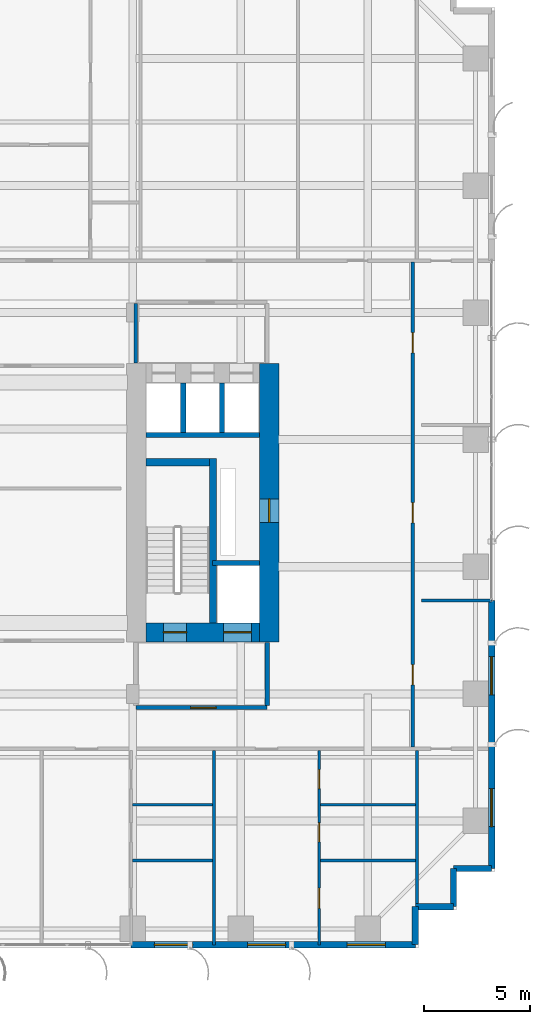
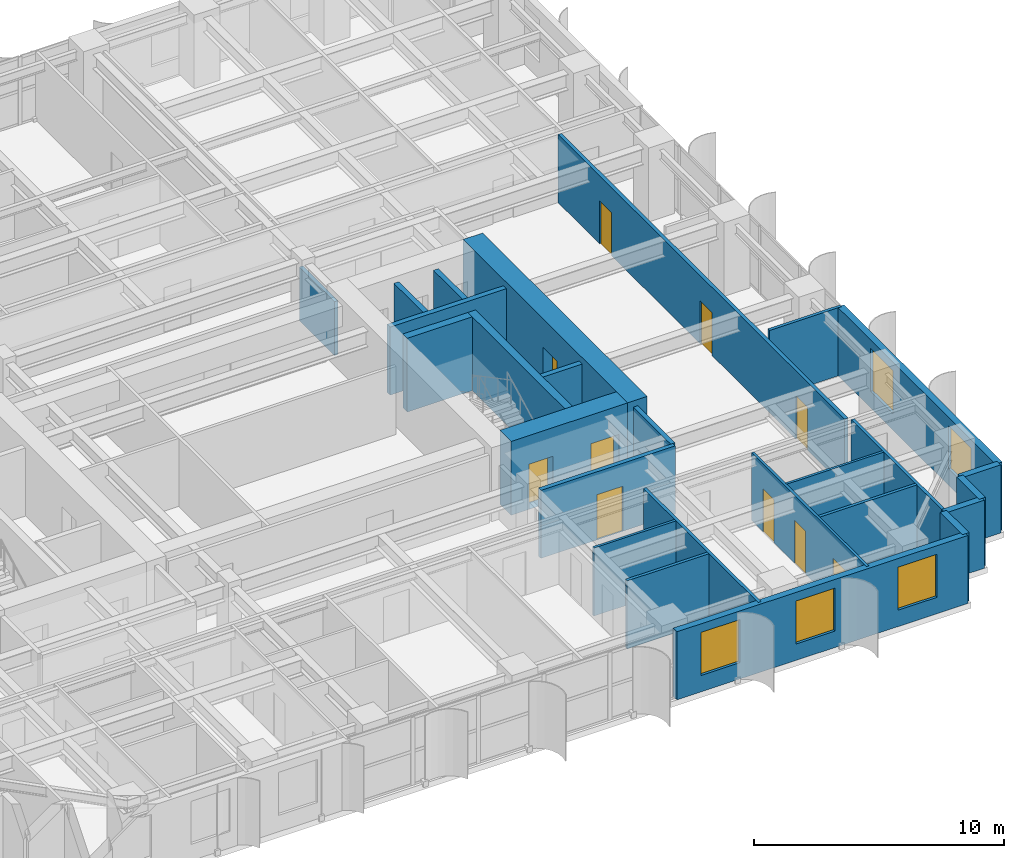
# One storey, part 18 of 24: 26 walls, 10 doors, 5 windows, 15 openings.
"""IFC4 building model written with IfcOpenShell, lengths in metres."""

from ifc_helpers import new_model, si_unit, direction, frame, frame_2d, origin, place, context, subcontext, project, spatial, rectangle, extrude, source, transform, mapped, material, layer, layer_set, type_object, element, fill, save


model = new_model("IFC4")

# Units and contexts
model_context = context("Model", 3, precision=1e-05, world=origin(), true_north=direction((0.0, 1.0)))
body_context = subcontext(model_context, "Body", "Model", "MODEL_VIEW")
ifc_project = project(units=[si_unit("LENGTHUNIT", "METRE"), si_unit("AREAUNIT", "SQUARE_METRE"), si_unit("VOLUMEUNIT", "CUBIC_METRE"), si_unit("PLANEANGLEUNIT", "RADIAN"), si_unit("MASSUNIT", "GRAM", prefix="KILO")], contexts=[model_context])

# Site, building, storey
site_placement = place(None, origin())
site = spatial("IfcSite", under=ifc_project, at=site_placement, CompositionType="ELEMENT")
building_placement = place(site_placement, origin())
building = spatial("IfcBuilding", under=site, at=building_placement, Name="Khoralis Quay Care Tower", CompositionType="ELEMENT")
storey_placement = place(building_placement, frame((0.0, 0.0, 40.5)))
storey = spatial("IfcBuildingStorey", under=building, at=storey_placement, Name="L10", CompositionType="ELEMENT", Elevation=40.5)

# Wall, opening, door
ifc_material_1 = material(Name="Gypsum plasterboard on acoustic metal stud")
ifc_layer_1 = layer(ifc_material_1, 0.199951171875)
ifc_layer_set_1 = layer_set([ifc_layer_1], Name="Gypsum plasterboard on acoustic metal stud")
wall_type_1 = type_object("IfcWallType", Name="WL-COMP-200", PredefinedType="PARTITIONING", material=ifc_layer_set_1)
wall_1_placement = place(storey_placement, frame((31.050048828125, 11.35009765625, 0.0), z_axis=(0.0, 0.0, 1.0), x_axis=(1.0, 0.0, 0.0)))
wall_1 = element("IfcWall", 1, at=wall_1_placement, inside=storey, type_object=wall_type_1, Name="L10 East Firefighting Lobby South Wall", PredefinedType="PARTITIONING", context=body_context, shape_type="SweptSolid", body=[
    extrude(rectangle(XDim=6.199951171875, YDim=0.199951171875, at=frame_2d((3.10009765625, 0.0))), origin(), (0.0, 0.0, 1.0), 3.320068359375),
])
opening_1_placement = place(wall_1_placement, frame((2.585693359375, 0.0, 0.0)))
opening_1 = element("IfcOpeningElement", 2, at=opening_1_placement, cuts=wall_1, Name="Opening FD1", PredefinedType="OPENING", context=body_context, shape_type="SweptSolid", body=[
    extrude(rectangle(XDim=1.199951171875, YDim=2.199951171875, at=frame_2d((0.60009765625, 1.10009765625))), frame((0.0, 0.10986328125, 0.0), z_axis=(0.0, -1.0, 0.0), x_axis=(1.0, 0.0, 0.0)), (0.0, 0.0, 1.0), 0.219970703125),
])
ifc_material_2 = material(Name="Fire-rated painted steel", Category="steel")
door_type_1 = type_object("IfcDoorType", Name="DR-FFL-1200X2200", OperationType="NOTDEFINED", PredefinedType="DOOR", material=ifc_material_2)
shared_shape_1 = source(origin(), body_context, "Body", "SweptSolid", [
    extrude(rectangle(XDim=1.199951171875, YDim=2.199951171875, at=frame_2d((0.60009765625, 1.10009765625))), frame((0.0, 0.02490234375, 0.0), z_axis=(0.0, -1.0, 0.0), x_axis=(1.0, 0.0, 0.0)), (0.0, 0.0, 1.0), 0.050048828125),
])
door_1_placement = place(opening_1_placement, origin())
door_1 = element("IfcDoor", 3, at=door_1_placement, inside=storey, type_object=door_type_1, Name="L10 East Firefighting Lobby Fire Door", OperationType="SINGLE_SWING_LEFT", OverallHeight=2.199951171875, OverallWidth=1.199951171875, PredefinedType="DOOR", context=body_context, shape_type="MappedRepresentation", body=[
    mapped(shared_shape_1, transform((0.0, 0.0, 0.0), scale=1.0)),
])
fill(opening_1, door_1)

# Wall
wall_2_placement = place(storey_placement, frame((37.25, 11.445068359375, 0.0), z_axis=(0.0, 0.0, 1.0), x_axis=(0.0, 1.0, 0.0)))
element("IfcWall", 4, at=wall_2_placement, inside=storey, type_object=wall_type_1, Name="L10 East Firefighting Lobby East Wall", PredefinedType="PARTITIONING", context=body_context, shape_type="SweptSolid", body=[
    extrude(rectangle(XDim=2.98486328125, YDim=0.199951171875, at=frame_2d((1.492431640625, 0.0))), origin(), (0.0, 0.0, 1.0), 3.320068359375),
])

# Wall, opening, door
ifc_material_3 = material(Name="Concrete C80/95", Category="concrete")
ifc_layer_2 = layer(ifc_material_3, 0.89990234375)
ifc_layer_set_2 = layer_set([ifc_layer_2], Name="Concrete C80/95")
wall_type_2 = type_object("IfcWallType", Name="WL-CORE-900", PredefinedType="SHEAR", material=ifc_layer_set_2)
wall_3_placement = place(storey_placement, frame((37.35009765625, 14.449951171875, 0.0), z_axis=(0.0, 0.0, 1.0), x_axis=(0.0, 1.0, 0.0)))
wall_3 = element("IfcWall", 5, at=wall_3_placement, inside=storey, type_object=wall_type_2, Name="L10 ECORE East Shear Wall", PredefinedType="SHEAR", context=body_context, shape_type="SweptSolid", body=[
    extrude(rectangle(XDim=13.150146484375, YDim=0.89990234375, at=frame_2d((6.5751953125, 0.0))), origin(), (0.0, 0.0, 1.0), 3.60009765625),
])
opening_2_placement = place(wall_3_placement, frame((5.64990234375, 0.0, 0.0)))
opening_2 = element("IfcOpeningElement", 6, at=opening_2_placement, cuts=wall_3, Name="Opening SD1", PredefinedType="OPENING", context=body_context, shape_type="SweptSolid", body=[
    extrude(rectangle(XDim=1.10009765625, YDim=2.199951171875, at=frame_2d((0.550048828125, 1.10009765625))), frame((0.0, 0.4599609375, 0.0), z_axis=(0.0, -1.0, 0.0), x_axis=(1.0, 0.0, 0.0)), (0.0, 0.0, 1.0), 0.919921875),
])
door_type_2 = type_object("IfcDoorType", Name="DR-STAIR-1100X2200", OperationType="NOTDEFINED", PredefinedType="DOOR", material=ifc_material_2)
shared_shape_2 = source(origin(), body_context, "Body", "SweptSolid", [
    extrude(rectangle(XDim=1.10009765625, YDim=2.199951171875, at=frame_2d((0.550048828125, 1.10009765625))), frame((0.0, 0.02490234375, 0.0), z_axis=(0.0, -1.0, 0.0), x_axis=(1.0, 0.0, 0.0)), (0.0, 0.0, 1.0), 0.050048828125),
])
door_2_placement = place(opening_2_placement, frame((1.10009765625, 0.0, 0.0), z_axis=(0.0, 0.0, 1.0), x_axis=(-1.0, 0.0, 0.0)))
door_2 = element("IfcDoor", 7, at=door_2_placement, inside=storey, type_object=door_type_2, Name="L10 East MEP Riser Door", OperationType="SINGLE_SWING_LEFT", OverallHeight=2.199951171875, OverallWidth=1.10009765625, PredefinedType="DOOR", context=body_context, shape_type="MappedRepresentation", body=[
    mapped(shared_shape_2, transform((0.0, 0.0, 0.0), scale=1.0)),
])
fill(opening_2, door_2)

# Wall, openings, doors
wall_4_placement = place(storey_placement, frame((31.52001953125, 14.89990234375, 0.0), z_axis=(0.0, 0.0, 1.0), x_axis=(1.0, 0.0, 0.0)))
wall_4 = element("IfcWall", 8, at=wall_4_placement, inside=storey, type_object=wall_type_2, Name="L10 ECORE South Shear Wall", PredefinedType="SHEAR", context=body_context, shape_type="SweptSolid", body=[
    extrude(rectangle(XDim=5.3798828125, YDim=0.89990234375, at=frame_2d((2.68994140625, 0.0))), origin(), (0.0, 0.0, 1.0), 3.60009765625),
])
opening_3_placement = place(wall_4_placement, frame((0.830078125, 0.0, 0.0)))
opening_3 = element("IfcOpeningElement", 9, at=opening_3_placement, cuts=wall_4, Name="Opening SD1", PredefinedType="OPENING", context=body_context, shape_type="SweptSolid", body=[
    extrude(rectangle(XDim=1.10009765625, YDim=2.199951171875, at=frame_2d((0.550048828125, 1.10009765625))), frame((0.0, 0.4599609375, 0.0), z_axis=(0.0, -1.0, 0.0), x_axis=(1.0, 0.0, 0.0)), (0.0, 0.0, 1.0), 0.919921875),
])
opening_4_placement = place(wall_4_placement, frame((3.679931640625, 0.0, 0.0)))
opening_4 = element("IfcOpeningElement", 10, at=opening_4_placement, cuts=wall_4, Name="Opening LD2", PredefinedType="OPENING", context=body_context, shape_type="SweptSolid", body=[
    extrude(rectangle(XDim=1.300048828125, YDim=2.199951171875, at=frame_2d((0.64990234375, 1.10009765625))), frame((0.0, 0.4599609375, 0.0), z_axis=(0.0, -1.0, 0.0), x_axis=(1.0, 0.0, 0.0)), (0.0, 0.0, 1.0), 0.919921875),
])
door_3_placement = place(opening_3_placement, origin())
door_3 = element("IfcDoor", 11, at=door_3_placement, inside=storey, type_object=door_type_2, Name="L10 Stair ST-T2 Fire Door", OperationType="SINGLE_SWING_LEFT", OverallHeight=2.199951171875, OverallWidth=1.10009765625, PredefinedType="DOOR", context=body_context, shape_type="MappedRepresentation", body=[
    mapped(shared_shape_2, transform((0.0, 0.0, 0.0), scale=1.0)),
])
fill(opening_3, door_3)
ifc_material_4 = material(Name="Brushed stainless steel", Category="steel")
door_type_3 = type_object("IfcDoorType", Name="DR-LIFT-1300X2200", OperationType="SLIDING_TO_RIGHT", PredefinedType="DOOR", material=ifc_material_4)
shared_shape_3 = source(origin(), body_context, "Body", "SweptSolid", [
    extrude(rectangle(XDim=1.300048828125, YDim=2.199951171875, at=frame_2d((0.64990234375, 1.10009765625))), frame((0.0, 0.02490234375, 0.0), z_axis=(0.0, -1.0, 0.0), x_axis=(1.0, 0.0, 0.0)), (0.0, 0.0, 1.0), 0.050048828125),
])
door_4_placement = place(opening_4_placement, origin())
door_4 = element("IfcDoor", 12, at=door_4_placement, inside=storey, type_object=door_type_3, Name="L10 Firefighting Lift FFL-2 Landing Door", OperationType="SLIDING_TO_RIGHT", OverallHeight=2.199951171875, OverallWidth=1.300048828125, PredefinedType="DOOR", context=body_context, shape_type="MappedRepresentation", body=[
    mapped(shared_shape_3, transform((0.0, 0.0, 0.0), scale=1.0)),
])
fill(opening_4, door_4)

# Wall
ifc_layer_3 = layer(ifc_material_1, 0.1650390625)
ifc_layer_set_3 = layer_set([ifc_layer_3], Name="Gypsum plasterboard on acoustic metal stud")
wall_type_3 = type_object("IfcWallType", Name="WL-CORR-165", PredefinedType="PARTITIONING", material=ifc_layer_set_3)
wall_5_placement = place(storey_placement, frame((31.050048828125, 27.6201171875, 0.0), z_axis=(0.0, 0.0, 1.0), x_axis=(0.0, 1.0, 0.0)))
element("IfcWall", 13, at=wall_5_placement, inside=storey, type_object=wall_type_3, Name="L10 East Lift Lobby West Wall", PredefinedType="PARTITIONING", context=body_context, shape_type="SweptSolid", body=[
    extrude(rectangle(XDim=2.802490234375, YDim=0.1650390625, at=frame_2d((1.4013671875, 0.0))), origin(), (0.0, 0.0, 1.0), 2.625),
])

# Wall, openings, doors
wall_6_placement = place(storey_placement, frame((44.1201171875, 9.4775390625, 0.0), z_axis=(0.0, 0.0, 1.0), x_axis=(0.0, 1.0, 0.0)))
wall_6 = element("IfcWall", 14, at=wall_6_placement, inside=storey, type_object=wall_type_3, Name="L10 East Loop Corridor Wall", PredefinedType="PARTITIONING", context=body_context, shape_type="SweptSolid", body=[
    extrude(rectangle(XDim=22.905029296875, YDim=0.1650390625, at=frame_2d((11.45263671875, 0.0))), origin(), (0.0, 0.0, 1.0), 3.320068359375),
])
opening_5_placement = place(wall_6_placement, frame((2.947509765625, 0.0, 0.0)))
opening_5 = element("IfcOpeningElement", 15, at=opening_5_placement, cuts=wall_6, Name="Opening ID1", PredefinedType="OPENING", context=body_context, shape_type="SweptSolid", body=[
    extrude(rectangle(XDim=0.949951171875, YDim=2.10009765625, at=frame_2d((0.47509765625, 1.050048828125))), frame((0.0, 0.092529296875, 0.0), z_axis=(0.0, -1.0, 0.0), x_axis=(1.0, 0.0, 0.0)), (0.0, 0.0, 1.0), 0.18505859375),
])
opening_6_placement = place(wall_6_placement, frame((10.597412109375, 0.0, 0.0)))
opening_6 = element("IfcOpeningElement", 16, at=opening_6_placement, cuts=wall_6, Name="Opening ID1", PredefinedType="OPENING", context=body_context, shape_type="SweptSolid", body=[
    extrude(rectangle(XDim=0.949951171875, YDim=2.10009765625, at=frame_2d((0.47509765625, 1.050048828125))), frame((0.0, 0.092529296875, 0.0), z_axis=(0.0, -1.0, 0.0), x_axis=(1.0, 0.0, 0.0)), (0.0, 0.0, 1.0), 0.18505859375),
])
opening_7_placement = place(wall_6_placement, frame((18.62744140625, 0.0, 0.0)))
opening_7 = element("IfcOpeningElement", 17, at=opening_7_placement, cuts=wall_6, Name="Opening ID1", PredefinedType="OPENING", context=body_context, shape_type="SweptSolid", body=[
    extrude(rectangle(XDim=0.949951171875, YDim=2.10009765625, at=frame_2d((0.47509765625, 1.050048828125))), frame((0.0, 0.092529296875, 0.0), z_axis=(0.0, -1.0, 0.0), x_axis=(1.0, 0.0, 0.0)), (0.0, 0.0, 1.0), 0.18505859375),
])
ifc_material_5 = material(Name="Acoustic hardwood timber", Category="wood")
door_type_4 = type_object("IfcDoorType", Name="DR-ROOM-950X2100", OperationType="NOTDEFINED", PredefinedType="DOOR", material=ifc_material_5)
shared_shape_4 = source(origin(), body_context, "Body", "SweptSolid", [
    extrude(rectangle(XDim=0.949951171875, YDim=2.10009765625, at=frame_2d((0.47509765625, 1.050048828125))), frame((0.0, 0.02490234375, 0.0), z_axis=(0.0, -1.0, 0.0), x_axis=(1.0, 0.0, 0.0)), (0.0, 0.0, 1.0), 0.050048828125),
])
door_5_placement = place(opening_5_placement, frame((0.949951171875, 0.0, 0.0), z_axis=(0.0, 0.0, 1.0), x_axis=(-1.0, 0.0, 0.0)))
door_5 = element("IfcDoor", 18, at=door_5_placement, inside=storey, type_object=door_type_4, Name="L10 Therapy Consultation Room Door", OperationType="SINGLE_SWING_LEFT", OverallHeight=2.10009765625, OverallWidth=0.949951171875, PredefinedType="DOOR", context=body_context, shape_type="MappedRepresentation", body=[
    mapped(shared_shape_4, transform((0.0, 0.0, 0.0), scale=1.0)),
])
fill(opening_5, door_5)
door_6_placement = place(opening_6_placement, frame((0.949951171875, 0.0, 0.0), z_axis=(0.0, 0.0, 1.0), x_axis=(-1.0, 0.0, 0.0)))
door_6 = element("IfcDoor", 19, at=door_6_placement, inside=storey, type_object=door_type_4, Name="L10 Assisted Activity Lounge Door", OperationType="SINGLE_SWING_RIGHT", OverallHeight=2.10009765625, OverallWidth=0.949951171875, PredefinedType="DOOR", context=body_context, shape_type="MappedRepresentation", body=[
    mapped(shared_shape_4, transform((0.0, 0.0, 0.0), scale=1.0)),
])
fill(opening_6, door_6)
door_7_placement = place(opening_7_placement, frame((0.949951171875, 0.0, 0.0), z_axis=(0.0, 0.0, 1.0), x_axis=(-1.0, 0.0, 0.0)))
door_7 = element("IfcDoor", 20, at=door_7_placement, inside=storey, type_object=door_type_4, Name="L10 Nurse Charting Office Door", OperationType="SINGLE_SWING_LEFT", OverallHeight=2.10009765625, OverallWidth=0.949951171875, PredefinedType="DOOR", context=body_context, shape_type="MappedRepresentation", body=[
    mapped(shared_shape_4, transform((0.0, 0.0, 0.0), scale=1.0)),
])
fill(opening_7, door_7)

# Wall, openings, windows
ifc_material_6 = material(Name="Precast concrete C45/55", Category="concrete")
ifc_layer_4 = layer(ifc_material_6, 0.300048828125)
ifc_layer_set_4 = layer_set([ifc_layer_4], Name="Precast concrete C45/55")
wall_type_4 = type_object("IfcWallType", Name="WL-EXT-REF-300", PredefinedType="SOLIDWALL", material=ifc_layer_set_4)
wall_7_placement = place(storey_placement, frame((30.827880859375, 0.14990234375, 0.0), z_axis=(0.0, 0.0, 1.0), x_axis=(1.0, 0.0, 0.0)))
wall_7 = element("IfcWall", 21, at=wall_7_placement, inside=storey, type_object=wall_type_4, Name="L10 External Facade Wall WL-EXT-L10-P1-E0B", PredefinedType="SOLIDWALL", context=body_context, shape_type="SweptSolid", body=[
    extrude(rectangle(XDim=13.422119140625, YDim=0.300048828125, at=frame_2d((6.7109375, 0.0))), origin(), (0.0, 0.0, 1.0), 3.320068359375),
])
opening_8_placement = place(wall_7_placement, frame((1.10107421875, 0.0, 0.800048828125)))
opening_8 = element("IfcOpeningElement", 22, at=opening_8_placement, cuts=wall_7, Name="Opening W2", PredefinedType="OPENING", context=body_context, shape_type="SweptSolid", body=[
    extrude(rectangle(XDim=1.800048828125, YDim=2.10009765625, at=frame_2d((0.89990234375, 1.050048828125))), frame((0.0, 0.16015625, 0.0), z_axis=(0.0, -1.0, 0.0), x_axis=(1.0, 0.0, 0.0)), (0.0, 0.0, 1.0), 0.320068359375),
])
opening_9_placement = place(wall_7_placement, frame((5.49560546875, 0.0, 0.800048828125)))
opening_9 = element("IfcOpeningElement", 23, at=opening_9_placement, cuts=wall_7, Name="Opening W2", PredefinedType="OPENING", context=body_context, shape_type="SweptSolid", body=[
    extrude(rectangle(XDim=1.800048828125, YDim=2.10009765625, at=frame_2d((0.89990234375, 1.050048828125))), frame((0.0, 0.16015625, 0.0), z_axis=(0.0, -1.0, 0.0), x_axis=(1.0, 0.0, 0.0)), (0.0, 0.0, 1.0), 0.320068359375),
])
opening_10_placement = place(wall_7_placement, frame((10.20556640625, 0.0, 0.800048828125)))
opening_10 = element("IfcOpeningElement", 24, at=opening_10_placement, cuts=wall_7, Name="Opening W2", PredefinedType="OPENING", context=body_context, shape_type="SweptSolid", body=[
    extrude(rectangle(XDim=1.800048828125, YDim=2.10009765625, at=frame_2d((0.89990234375, 1.050048828125))), frame((0.0, 0.16015625, 0.0), z_axis=(0.0, -1.0, 0.0), x_axis=(1.0, 0.0, 0.0)), (0.0, 0.0, 1.0), 0.320068359375),
])
ifc_material_7 = material(Name="Low-E solar-control double glazing", Category="glass")
window_type = type_object("IfcWindowType", Name="WN-POD-1800X2100", PartitioningType="SINGLE_PANEL", PredefinedType="WINDOW", material=ifc_material_7)
shared_shape_5 = source(origin(), body_context, "Body", "SweptSolid", [
    extrude(rectangle(XDim=1.800048828125, YDim=2.10009765625, at=frame_2d((0.89990234375, 1.050048828125))), frame((0.0, 0.030029296875, 0.0), z_axis=(0.0, -1.0, 0.0), x_axis=(1.0, 0.0, 0.0)), (0.0, 0.0, 1.0), 0.06005859375),
])
window_1_placement = place(opening_8_placement, origin())
window_1 = element("IfcWindow", 25, at=window_1_placement, inside=storey, type_object=window_type, Name="WN-L10-P1-E0B Facade Window 01", OverallHeight=2.10009765625, OverallWidth=1.800048828125, PartitioningType="SINGLE_PANEL", PredefinedType="WINDOW", context=body_context, shape_type="MappedRepresentation", body=[
    mapped(shared_shape_5, transform((0.0, 0.0, 0.0), scale=1.0)),
])
fill(opening_8, window_1)
window_2_placement = place(opening_9_placement, origin())
window_2 = element("IfcWindow", 26, at=window_2_placement, inside=storey, type_object=window_type, Name="WN-L10-P1-E0B Facade Window 02", OverallHeight=2.10009765625, OverallWidth=1.800048828125, PartitioningType="SINGLE_PANEL", PredefinedType="WINDOW", context=body_context, shape_type="MappedRepresentation", body=[
    mapped(shared_shape_5, transform((0.0, 0.0, 0.0), scale=1.0)),
])
fill(opening_9, window_2)
window_3_placement = place(opening_10_placement, origin())
window_3 = element("IfcWindow", 27, at=window_3_placement, inside=storey, type_object=window_type, Name="WN-L10-P1-E0B Facade Window 03", OverallHeight=2.10009765625, OverallWidth=1.800048828125, PartitioningType="SINGLE_PANEL", PredefinedType="WINDOW", context=body_context, shape_type="MappedRepresentation", body=[
    mapped(shared_shape_5, transform((0.0, 0.0, 0.0), scale=1.0)),
])
fill(opening_10, window_3)

# Walls
for number, where, z_axis, x_axis, name in (
    (28, (44.25, 0.14990234375, 0.0), (0.0, 0.0, 1.0), (0.0, 1.0, 0.0), "L10 External Facade Wall WL-EXT-L10-P1-C1"),
    (29, (44.25, 1.949951171875, 0.0), (0.0, 0.0, 1.0), (1.0, 0.0, 0.0), "L10 External Facade Wall WL-EXT-L10-P1-C2"),
    (30, (46.050048828125, 1.949951171875, 0.0), (0.0, 0.0, 1.0), (0.0, 1.0, 0.0), "L10 External Facade Wall WL-EXT-L10-P1-C3"),
    (31, (46.050048828125, 3.75, 0.0), (0.0, 0.0, 1.0), (1.0, 0.0, 0.0), "L10 External Facade Wall WL-EXT-L10-P1-C4"),
):
    element("IfcWall", number, at=place(storey_placement, frame(where, z_axis=z_axis, x_axis=x_axis)), inside=storey, type_object=wall_type_4, Name=name, PredefinedType="SOLIDWALL", context=body_context, shape_type="SweptSolid", body=[
        extrude(rectangle(XDim=1.800048828125, YDim=0.300048828125, at=frame_2d((0.89990234375, 0.0))), origin(), (0.0, 0.0, 1.0), 3.320068359375),
    ])

# Wall, openings, windows
wall_8_placement = place(storey_placement, frame((47.85009765625, 3.75, 0.0), z_axis=(0.0, 0.0, 1.0), x_axis=(0.0, 1.0, 0.0)))
wall_8 = element("IfcWall", 32, at=wall_8_placement, inside=storey, type_object=wall_type_4, Name="L10 External Facade Wall WL-EXT-L10-P1-E5A", PredefinedType="SOLIDWALL", context=body_context, shape_type="SweptSolid", body=[
    extrude(rectangle(XDim=12.64990234375, YDim=0.300048828125, at=frame_2d((6.324951171875, 0.0))), origin(), (0.0, 0.0, 1.0), 3.320068359375),
])
opening_11_placement = place(wall_8_placement, frame((1.97509765625, 0.0, 0.800048828125)))
opening_11 = element("IfcOpeningElement", 33, at=opening_11_placement, cuts=wall_8, Name="Opening W2", PredefinedType="OPENING", context=body_context, shape_type="SweptSolid", body=[
    extrude(rectangle(XDim=1.800048828125, YDim=2.10009765625, at=frame_2d((0.89990234375, 1.050048828125))), frame((0.0, 0.16015625, 0.0), z_axis=(0.0, -1.0, 0.0), x_axis=(1.0, 0.0, 0.0)), (0.0, 0.0, 1.0), 0.320068359375),
])
opening_12_placement = place(wall_8_placement, frame((8.199951171875, 0.0, 0.800048828125)))
opening_12 = element("IfcOpeningElement", 34, at=opening_12_placement, cuts=wall_8, Name="Opening W2", PredefinedType="OPENING", context=body_context, shape_type="SweptSolid", body=[
    extrude(rectangle(XDim=1.800048828125, YDim=2.10009765625, at=frame_2d((0.89990234375, 1.050048828125))), frame((0.0, 0.16015625, 0.0), z_axis=(0.0, -1.0, 0.0), x_axis=(1.0, 0.0, 0.0)), (0.0, 0.0, 1.0), 0.320068359375),
])
window_4_placement = place(opening_11_placement, origin())
window_4 = element("IfcWindow", 35, at=window_4_placement, inside=storey, type_object=window_type, Name="WN-L10-P1-E5A Facade Window 01", OverallHeight=2.10009765625, OverallWidth=1.800048828125, PartitioningType="SINGLE_PANEL", PredefinedType="WINDOW", context=body_context, shape_type="MappedRepresentation", body=[
    mapped(shared_shape_5, transform((0.0, 0.0, 0.0), scale=1.0)),
])
fill(opening_11, window_4)
window_5_placement = place(opening_12_placement, origin())
window_5 = element("IfcWindow", 36, at=window_5_placement, inside=storey, type_object=window_type, Name="WN-L10-P1-E5A Facade Window 02", OverallHeight=2.10009765625, OverallWidth=1.800048828125, PartitioningType="SINGLE_PANEL", PredefinedType="WINDOW", context=body_context, shape_type="MappedRepresentation", body=[
    mapped(shared_shape_5, transform((0.0, 0.0, 0.0), scale=1.0)),
])
fill(opening_12, window_5)

# Wall
ifc_layer_5 = layer(ifc_material_1, 0.114990234375)
ifc_layer_set_5 = layer_set([ifc_layer_5], Name="Gypsum plasterboard on acoustic metal stud")
wall_type_5 = type_object("IfcWallType", Name="WL-PART-115", PredefinedType="PARTITIONING", material=ifc_layer_set_5)
wall_9_placement = place(storey_placement, frame((30.880615234375, 6.76806640625, 0.0), z_axis=(0.0, 0.0, 1.0), x_axis=(1.0, 0.0, 0.0)))
element("IfcWall", 37, at=wall_9_placement, inside=storey, type_object=wall_type_5, Name="L10 Unit 3 Kitchen Wall", PredefinedType="PARTITIONING", context=body_context, shape_type="SweptSolid", body=[
    extrude(rectangle(XDim=3.784423828125, YDim=0.114990234375, at=frame_2d((1.89208984375, 0.0))), origin(), (0.0, 0.0, 1.0), 3.320068359375),
])

# Wall, openings, doors
wall_10_placement = place(storey_placement, frame((39.717041015625, 0.14501953125, 0.0), z_axis=(0.0, 0.0, 1.0), x_axis=(0.0, 1.0, 0.0)))
wall_10 = element("IfcWall", 38, at=wall_10_placement, inside=storey, type_object=wall_type_5, Name="L10 Unit 4 Internal Wall", PredefinedType="PARTITIONING", context=body_context, shape_type="SweptSolid", body=[
    extrude(rectangle(XDim=9.177490234375, YDim=0.114990234375, at=frame_2d((4.5888671875, 0.0))), origin(), (0.0, 0.0, 1.0), 3.320068359375),
])
opening_13_placement = place(wall_10_placement, frame((1.722900390625, 0.0, 0.0)))
opening_13 = element("IfcOpeningElement", 39, at=opening_13_placement, cuts=wall_10, Name="Opening ID1", PredefinedType="OPENING", context=body_context, shape_type="SweptSolid", body=[
    extrude(rectangle(XDim=0.949951171875, YDim=2.10009765625, at=frame_2d((0.47509765625, 1.050048828125))), frame((0.0, 0.0673828125, 0.0), z_axis=(0.0, -1.0, 0.0), x_axis=(1.0, 0.0, 0.0)), (0.0, 0.0, 1.0), 0.135009765625),
])
opening_14_placement = place(wall_10_placement, frame((4.85693359375, 0.0, 0.0)))
opening_14 = element("IfcOpeningElement", 40, at=opening_14_placement, cuts=wall_10, Name="Opening WD1", PredefinedType="OPENING", context=body_context, shape_type="SweptSolid", body=[
    extrude(rectangle(XDim=0.89990234375, YDim=2.10009765625, at=frame_2d((0.449951171875, 1.050048828125))), frame((0.0, 0.0673828125, 0.0), z_axis=(0.0, -1.0, 0.0), x_axis=(1.0, 0.0, 0.0)), (0.0, 0.0, 1.0), 0.135009765625),
])
opening_15_placement = place(wall_10_placement, frame((7.3740234375, 0.0, 0.0)))
opening_15 = element("IfcOpeningElement", 41, at=opening_15_placement, cuts=wall_10, Name="Opening WD1", PredefinedType="OPENING", context=body_context, shape_type="SweptSolid", body=[
    extrude(rectangle(XDim=0.89990234375, YDim=2.10009765625, at=frame_2d((0.449951171875, 1.050048828125))), frame((0.0, 0.0673828125, 0.0), z_axis=(0.0, -1.0, 0.0), x_axis=(1.0, 0.0, 0.0)), (0.0, 0.0, 1.0), 0.135009765625),
])
door_type_5 = type_object("IfcDoorType", Name="DR-BATH-900X2100", OperationType="NOTDEFINED", PredefinedType="DOOR", material=ifc_material_5)
shared_shape_6 = source(origin(), body_context, "Body", "SweptSolid", [
    extrude(rectangle(XDim=0.89990234375, YDim=2.10009765625, at=frame_2d((0.449951171875, 1.050048828125))), frame((0.0, 0.02490234375, 0.0), z_axis=(0.0, -1.0, 0.0), x_axis=(1.0, 0.0, 0.0)), (0.0, 0.0, 1.0), 0.050048828125),
])
door_8_placement = place(opening_14_placement, frame((0.89990234375, 0.0, 0.0), z_axis=(0.0, 0.0, 1.0), x_axis=(-1.0, 0.0, 0.0)))
door_8 = element("IfcDoor", 42, at=door_8_placement, inside=storey, type_object=door_type_5, Name="L10 Apartment SB4 KIT Door", OperationType="SINGLE_SWING_RIGHT", OverallHeight=2.10009765625, OverallWidth=0.89990234375, PredefinedType="DOOR", context=body_context, shape_type="MappedRepresentation", body=[
    mapped(shared_shape_6, transform((0.0, 0.0, 0.0), scale=1.0)),
])
fill(opening_14, door_8)
door_9_placement = place(opening_15_placement, frame((0.89990234375, 0.0, 0.0), z_axis=(0.0, 0.0, 1.0), x_axis=(-1.0, 0.0, 0.0)))
door_9 = element("IfcDoor", 43, at=door_9_placement, inside=storey, type_object=door_type_5, Name="L10 Apartment SB4 BTH Door", OperationType="SINGLE_SWING_LEFT", OverallHeight=2.10009765625, OverallWidth=0.89990234375, PredefinedType="DOOR", context=body_context, shape_type="MappedRepresentation", body=[
    mapped(shared_shape_6, transform((0.0, 0.0, 0.0), scale=1.0)),
])
fill(opening_15, door_9)
door_10_placement = place(opening_13_placement, frame((0.949951171875, 0.0, 0.0), z_axis=(0.0, 0.0, 1.0), x_axis=(-1.0, 0.0, 0.0)))
door_10 = element("IfcDoor", 44, at=door_10_placement, inside=storey, type_object=door_type_4, Name="L10 Apartment SB4 BED Door", OperationType="SINGLE_SWING_LEFT", OverallHeight=2.10009765625, OverallWidth=0.949951171875, PredefinedType="DOOR", context=body_context, shape_type="MappedRepresentation", body=[
    mapped(shared_shape_4, transform((0.0, 0.0, 0.0), scale=1.0)),
])
fill(opening_13, door_10)

# Walls
wall_11_placement = place(storey_placement, frame((39.76953125, 6.76806640625, 0.0), z_axis=(0.0, 0.0, 1.0), x_axis=(1.0, 0.0, 0.0)))
element("IfcWall", 45, at=wall_11_placement, inside=storey, type_object=wall_type_5, Name="L10 Unit 4 Kitchen Wall", PredefinedType="PARTITIONING", context=body_context, shape_type="SweptSolid", body=[
    extrude(rectangle(XDim=4.4853515625, YDim=0.114990234375, at=frame_2d((2.24267578125, 0.0))), origin(), (0.0, 0.0, 1.0), 3.320068359375),
])
ifc_material_8 = material(Name="Moisture-resistant gypsum and ceramic tile")
ifc_layer_6 = layer(ifc_material_8, 0.280029296875)
ifc_layer_set_6 = layer_set([ifc_layer_6], Name="Moisture-resistant gypsum and ceramic tile")
wall_type_6 = type_object("IfcWallType", Name="WL-PLUMB-280", PredefinedType="PLUMBINGWALL", material=ifc_layer_set_6)
wall_12_placement = place(storey_placement, frame((30.880615234375, 4.135986328125, 0.0), z_axis=(0.0, 0.0, 1.0), x_axis=(1.0, 0.0, 0.0)))
element("IfcWall", 46, at=wall_12_placement, inside=storey, type_object=wall_type_6, Name="L10 Unit 3 Wet Wall", PredefinedType="PLUMBINGWALL", context=body_context, shape_type="SweptSolid", body=[
    extrude(rectangle(XDim=3.784423828125, YDim=0.139892578125, at=frame_2d((1.89208984375, 0.0))), origin(), (0.0, 0.0, 1.0), 3.320068359375),
])
wall_13_placement = place(storey_placement, frame((39.76953125, 4.135986328125, 0.0), z_axis=(0.0, 0.0, 1.0), x_axis=(1.0, 0.0, 0.0)))
element("IfcWall", 47, at=wall_13_placement, inside=storey, type_object=wall_type_6, Name="L10 Unit 4 Wet Wall", PredefinedType="PLUMBINGWALL", context=body_context, shape_type="SweptSolid", body=[
    extrude(rectangle(XDim=4.4853515625, YDim=0.139892578125, at=frame_2d((2.24267578125, 0.0))), origin(), (0.0, 0.0, 1.0), 3.320068359375),
])
ifc_material_9 = material(Name="Concrete C40/50", Category="concrete")
ifc_layer_7 = layer(ifc_material_9, 0.35009765625)
ifc_layer_set_7 = layer_set([ifc_layer_7], Name="Concrete C40/50")
wall_type_7 = type_object("IfcWallType", Name="WL-SC-CORE-350", PredefinedType="SHEAR", material=ifc_layer_set_7)
wall_14_placement = place(storey_placement, frame((34.695068359375, 15.35009765625, 0.0), z_axis=(0.0, 0.0, 1.0), x_axis=(0.0, 1.0, 0.0)))
element("IfcWall", 48, at=wall_14_placement, inside=storey, type_object=wall_type_7, Name="L10 Stair ST-T2 Shear Baffle Wall East", PredefinedType="SHEAR", context=body_context, shape_type="SweptSolid", body=[
    extrude(rectangle(XDim=7.75, YDim=0.35009765625, at=frame_2d((3.875, 0.0))), origin(), (0.0, 0.0, 1.0), 3.60009765625),
])
wall_15_placement = place(storey_placement, frame((31.52001953125, 22.925048828125, 0.0), z_axis=(0.0, 0.0, 1.0), x_axis=(1.0, 0.0, 0.0)))
element("IfcWall", 49, at=wall_15_placement, inside=storey, type_object=wall_type_7, Name="L10 Stair ST-T2 Shear Baffle Wall North", PredefinedType="SHEAR", context=body_context, shape_type="SweptSolid", body=[
    extrude(rectangle(XDim=3.0, YDim=0.35009765625, at=frame_2d((1.5, 0.0))), origin(), (0.0, 0.0, 1.0), 3.60009765625),
])
ifc_layer_8 = layer(ifc_material_1, 0.239990234375)
ifc_layer_set_8 = layer_set([ifc_layer_8], Name="Gypsum plasterboard on acoustic metal stud")
wall_type_8 = type_object("IfcWallType", Name="WL-SHAFT-240", PredefinedType="PARTITIONING", material=ifc_layer_set_8)
wall_16_placement = place(storey_placement, frame((34.679931640625, 18.169921875, 0.0), z_axis=(0.0, 0.0, 1.0), x_axis=(1.0, 0.0, 0.0)))
element("IfcWall", 50, at=wall_16_placement, inside=storey, type_object=wall_type_8, Name="L10 FFL-2 Shaft Wall North", PredefinedType="PARTITIONING", context=body_context, shape_type="SweptSolid", body=[
    extrude(rectangle(XDim=2.199951171875, YDim=0.239990234375, at=frame_2d((1.10009765625, 0.0))), origin(), (0.0, 0.0, 1.0), 3.320068359375),
])
wall_17_placement = place(storey_placement, frame((31.52001953125, 24.22998046875, 0.0), z_axis=(0.0, 0.0, 1.0), x_axis=(1.0, 0.0, 0.0)))
element("IfcWall", 51, at=wall_17_placement, inside=storey, type_object=wall_type_8, Name="L10 East Passenger Shaft South Wall", PredefinedType="PARTITIONING", context=body_context, shape_type="SweptSolid", body=[
    extrude(rectangle(XDim=5.35986328125, YDim=0.239990234375, at=frame_2d((2.679931640625, 0.0))), origin(), (0.0, 0.0, 1.0), 3.320068359375),
])
for number, where, z_axis, x_axis, name in (
    (52, (33.2900390625, 24.344970703125, 0.0), (0.0, 0.0, 1.0), (0.0, 1.0, 0.0), "L10 East Shaft Divider 1"),
    (53, (35.110107421875, 24.344970703125, 0.0), (0.0, 0.0, 1.0), (0.0, 1.0, 0.0), "L10 East Shaft Divider 2"),
):
    element("IfcWall", number, at=place(storey_placement, frame(where, z_axis=z_axis, x_axis=x_axis)), inside=storey, type_object=wall_type_8, Name=name, PredefinedType="PARTITIONING", context=body_context, shape_type="SweptSolid", body=[
        extrude(rectangle(XDim=2.3349609375, YDim=0.239990234375, at=frame_2d((1.16748046875, 0.0))), origin(), (0.0, 0.0, 1.0), 3.320068359375),
    ])
ifc_layer_9 = layer(ifc_material_1, 0.139892578125)
ifc_layer_set_9 = layer_set([ifc_layer_9], Name="Gypsum plasterboard on acoustic metal stud")
wall_type_9 = type_object("IfcWallType", Name="WL-UNIT-140", PredefinedType="PARTITIONING", material=ifc_layer_set_9)
wall_18_placement = place(storey_placement, frame((44.5400390625, 16.39990234375, 0.0), z_axis=(0.0, 0.0, 1.0), x_axis=(1.0, 0.0, 0.0)))
element("IfcWall", 54, at=wall_18_placement, inside=storey, type_object=wall_type_9, Name="L10 EE Divider 1", PredefinedType="PARTITIONING", context=body_context, shape_type="SweptSolid", body=[
    extrude(rectangle(XDim=3.31494140625, YDim=0.139892578125, at=frame_2d((1.657470703125, 0.0))), origin(), (0.0, 0.0, 1.0), 3.320068359375),
])
wall_19_placement = place(storey_placement, frame((34.72998046875, 0.14501953125, 0.0), z_axis=(0.0, 0.0, 1.0), x_axis=(0.0, 1.0, 0.0)))
element("IfcWall", 55, at=wall_19_placement, inside=storey, type_object=wall_type_9, Name="L10 SB Demising Wall 4", PredefinedType="PARTITIONING", context=body_context, shape_type="SweptSolid", body=[
    extrude(rectangle(XDim=9.177490234375, YDim=0.139892578125, at=frame_2d((4.5888671875, 0.0))), origin(), (0.0, 0.0, 1.0), 3.320068359375),
])
wall_20_placement = place(storey_placement, frame((44.320068359375, 1.945068359375, 0.0), z_axis=(0.0, 0.0, 1.0), x_axis=(0.0, 1.0, 0.0)))
element("IfcWall", 56, at=wall_20_placement, inside=storey, type_object=wall_type_9, Name="L10 SB Demising Wall 5", PredefinedType="PARTITIONING", context=body_context, shape_type="SweptSolid", body=[
    extrude(rectangle(XDim=7.37744140625, YDim=0.139892578125, at=frame_2d((3.688720703125, 0.0))), origin(), (0.0, 0.0, 1.0), 3.320068359375),
])

save(model, "model.ifc")
